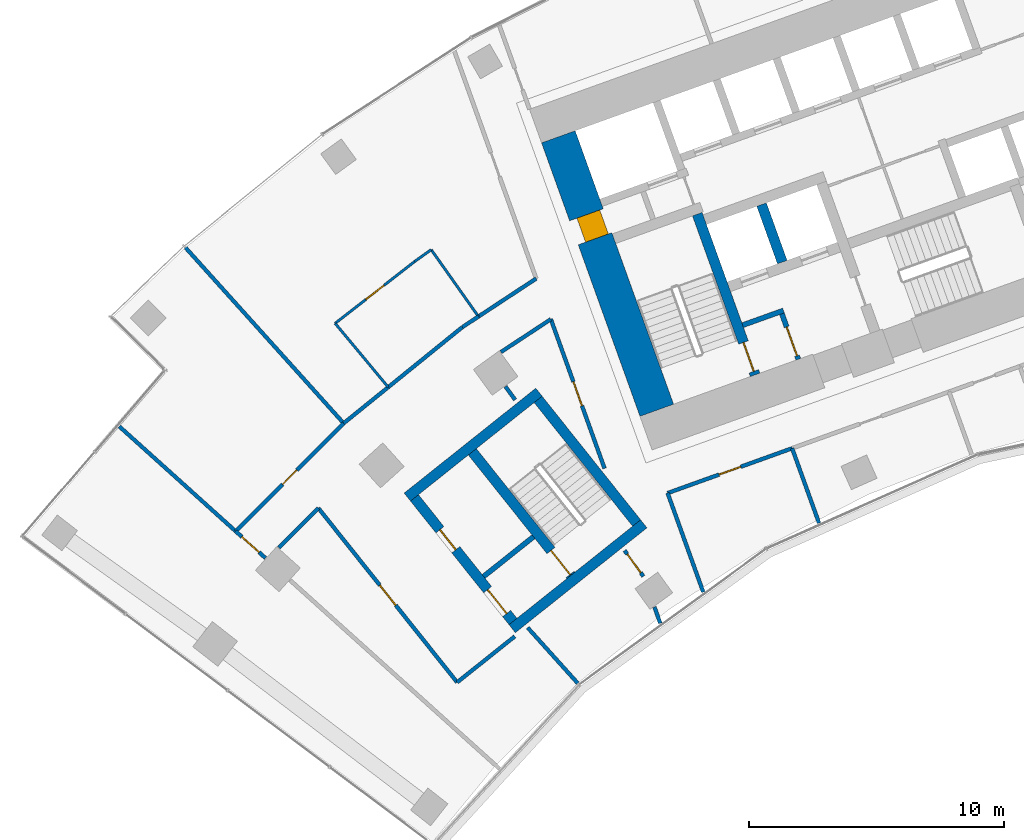
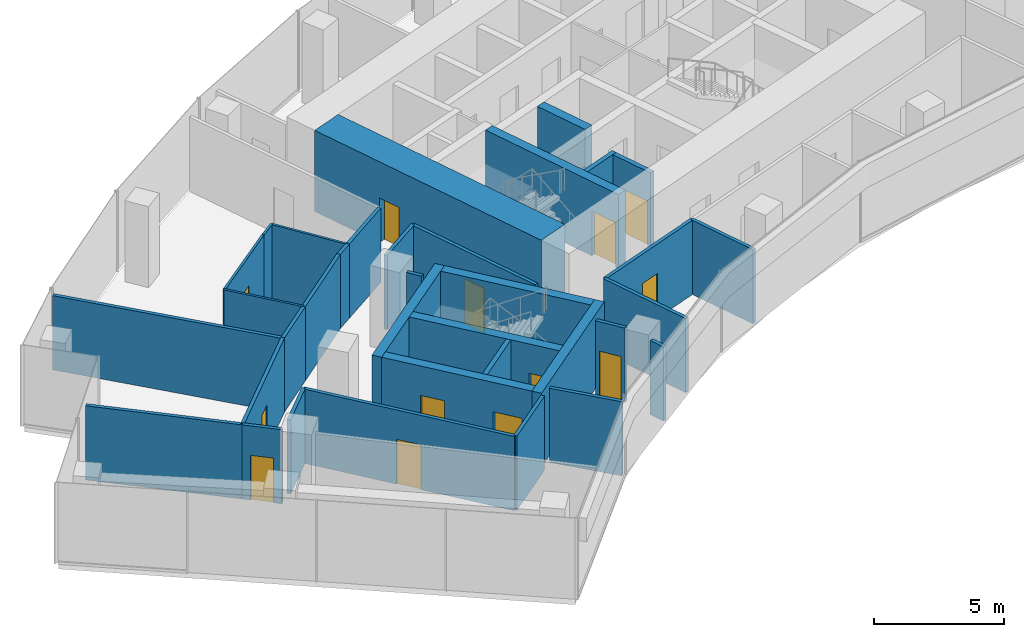
# One storey, part 13 of 21: 35 walls, 13 doors, 13 openings.
"""IFC4 building model written with IfcOpenShell, lengths in metres."""

from ifc_helpers import new_model, si_unit, direction, frame, frame_2d, origin, place, context, subcontext, project, spatial, rectangle, extrude, material, layer, layer_set, type_object, element, fill, save


model = new_model("IFC4")

# Units and contexts
model_context = context("Model", 3, precision=1e-05, world=origin(), true_north=direction((0.0, 1.0)))
body_context = subcontext(model_context, "Body", "Model", "MODEL_VIEW")
ifc_project = project(units=[si_unit("LENGTHUNIT", "METRE"), si_unit("AREAUNIT", "SQUARE_METRE"), si_unit("VOLUMEUNIT", "CUBIC_METRE"), si_unit("PLANEANGLEUNIT", "RADIAN"), si_unit("MASSUNIT", "GRAM", prefix="KILO")], contexts=[model_context])

# Site, building, storey
site_placement = place(None, origin())
site = spatial("IfcSite", under=ifc_project, at=site_placement, CompositionType="ELEMENT")
building_placement = place(site_placement, origin())
building = spatial("IfcBuilding", under=site, at=building_placement, Name="Stone Belt Terrace Tower", CompositionType="ELEMENT")
storey_placement = place(building_placement, frame((0.0, 0.0, 163.0)))
storey = spatial("IfcBuildingStorey", under=building, at=storey_placement, Name="L39", CompositionType="ELEMENT", Elevation=163.0)

# Wall, opening, door
ifc_material_1 = material(Name="Concrete B80", Category="concrete")
ifc_layer_1 = layer(ifc_material_1, 1.39990234375)
ifc_layer_set_1 = layer_set([ifc_layer_1], Name="Core wall 1400 B80")
wall_type_1 = type_object("IfcWallType", Name="Core wall 1400 B80", PredefinedType="SHEAR", material=ifc_layer_set_1)
wall_1_placement = place(storey_placement, frame((-26.00927734375, 43.03515625, 0.0), z_axis=(0.0, 0.0, 1.0), x_axis=(-0.338625431531, 0.940921259788, 0.0)))
wall_1 = element("IfcWall", 1, at=wall_1_placement, inside=storey, type_object=wall_type_1, Name="Core A wall end_a L39", PredefinedType="SHEAR", context=body_context, shape_type="SweptSolid", body=[
    extrude(rectangle(XDim=11.400146484375, YDim=1.39990234375, at=frame_2d((5.7001953125, 0.0))), origin(), (0.0, 0.0, 1.0), 3.800048828125),
])
opening_1_placement = place(wall_1_placement, frame((7.14990234375, 0.0, 0.0)))
opening_1 = element("IfcOpeningElement", 2, at=opening_1_placement, cuts=wall_1, Name="Opening L39-C04", PredefinedType="OPENING", context=body_context, shape_type="SweptSolid", body=[
    extrude(rectangle(XDim=1.0, YDim=2.10009765625, at=frame_2d((0.5, 1.050048828125))), frame((0.0, 0.7099609375, 0.0), z_axis=(0.0, -1.0, 0.0), x_axis=(1.0, 0.0, 0.0)), (0.0, 0.0, 1.0), 1.419921875),
])
ifc_material_2 = material(Name="Timber door leaf", Category="wood")
door_type_1 = type_object("IfcDoorType", Name="Core room door 1000", OperationType="SINGLE_SWING_LEFT", PredefinedType="DOOR", material=ifc_material_2)
door_1_placement = place(opening_1_placement, origin())
door_1 = element("IfcDoor", 3, at=door_1_placement, inside=storey, type_object=door_type_1, Name="Door to Telecommunications riser room core A", OperationType="SINGLE_SWING_RIGHT", OverallHeight=2.10009765625, OverallWidth=1.0, PredefinedType="DOOR", context=body_context, shape_type="SweptSolid", body=[
    extrude(rectangle(XDim=1.0, YDim=2.10009765625, at=frame_2d((0.5, 1.050048828125))), frame((0.0, 0.39501953125, 0.0), z_axis=(0.0, -1.0, 0.0), x_axis=(1.0, 0.0, 0.0)), (0.0, 0.0, 1.0), 0.949951171875),
])
fill(opening_1, door_1)

# Walls
ifc_layer_2 = layer(ifc_material_1, 0.39990234375)
ifc_layer_set_2 = layer_set([ifc_layer_2], Name="Fire-fighting lift shaft wall 400")
wall_type_2 = type_object("IfcWallType", Name="Fire-fighting lift shaft wall 400", PredefinedType="SHEAR", material=ifc_layer_set_2)
wall_2_placement = place(storey_placement, frame((-21.0859375, 48.845458984375, 0.0), z_axis=(0.0, 0.0, 1.0), x_axis=(-0.338629416206, 0.940919825745, 0.0)))
element("IfcWall", 4, at=wall_2_placement, inside=storey, type_object=wall_type_2, Name="Core A wall", PredefinedType="SHEAR", context=body_context, shape_type="SweptSolid", body=[
    extrude(rectangle(XDim=2.400146484375, YDim=0.39990234375, at=frame_2d((1.2001953125, 0.0))), origin(), (0.0, 0.0, 1.0), 3.47998046875),
])
ifc_material_3 = material(Name="Gypsum board partition")
ifc_layer_3 = layer(ifc_material_3, 0.10009765625)
ifc_layer_set_3 = layer_set([ifc_layer_3], Name="PARTITION 100")
wall_type_3 = type_object("IfcWallType", Name="PARTITION 100", PredefinedType="PARTITIONING", material=ifc_layer_set_3)
wall_3_placement = place(storey_placement, frame((-33.00390625, 46.7119140625, 0.0), z_axis=(0.0, 0.0, 1.0), x_axis=(-0.576987586469, 0.81675291555, 0.0)))
element("IfcWall", 5, at=wall_3_placement, inside=storey, type_object=wall_type_3, Name="L39/wall/i056", PredefinedType="PARTITIONING", context=body_context, shape_type="SweptSolid", body=[
    extrude(rectangle(XDim=3.211669921875, YDim=0.10009765625, at=frame_2d((1.60595703125, 0.0))), origin(), (0.0, 0.0, 1.0), 3.47998046875),
])
wall_4_placement = place(storey_placement, frame((-34.85693359375, 49.3349609375, 0.0), z_axis=(0.0, 0.0, 1.0), x_axis=(-0.813051119642, -0.582192302293, 0.0)))
element("IfcWall", 6, at=wall_4_placement, inside=storey, type_object=wall_type_3, Name="L39/wall/i057", PredefinedType="PARTITIONING", context=body_context, shape_type="SweptSolid", body=[
    extrude(rectangle(XDim=0.79833984375, YDim=0.10009765625, at=frame_2d((0.399169921875, 0.0))), origin(), (0.0, 0.0, 1.0), 3.47998046875),
])

# Wall, opening, door
wall_5_placement = place(storey_placement, frame((-35.506103515625, 48.8701171875, 0.0), z_axis=(0.0, 0.0, 1.0), x_axis=(-0.789445377815, -0.613820817052, 0.0)))
wall_5 = element("IfcWall", 7, at=wall_5_placement, inside=storey, type_object=wall_type_3, Name="L39/wall/i058", PredefinedType="PARTITIONING", context=body_context, shape_type="SweptSolid", body=[
    extrude(rectangle(XDim=3.95068359375, YDim=0.10009765625, at=frame_2d((1.975341796875, 0.0))), origin(), (0.0, 0.0, 1.0), 3.47998046875),
])
opening_2_placement = place(wall_5_placement, frame((1.525390625, 0.0, 0.0)))
opening_2 = element("IfcOpeningElement", 8, at=opening_2_placement, cuts=wall_5, Name="Opening D-C2-17", PredefinedType="OPENING", context=body_context, shape_type="SweptSolid", body=[
    extrude(rectangle(XDim=0.89990234375, YDim=2.10009765625, at=frame_2d((0.449951171875, 1.050048828125))), frame((0.0, 0.06005859375, 0.0), z_axis=(0.0, -1.0, 0.0), x_axis=(1.0, 0.0, 0.0)), (0.0, 0.0, 1.0), 0.1201171875),
])
door_type_2 = type_object("IfcDoorType", Name="OFFICE DOOR 900 X 2100", OperationType="NOTDEFINED", PredefinedType="DOOR", material=ifc_material_2)
door_2_placement = place(opening_2_placement, origin())
door_2 = element("IfcDoor", 9, at=door_2_placement, inside=storey, type_object=door_type_2, Name="L39/door/i17", OperationType="SINGLE_SWING_RIGHT", OverallHeight=2.10009765625, OverallWidth=0.89990234375, PredefinedType="DOOR", context=body_context, shape_type="SweptSolid", body=[
    extrude(rectangle(XDim=0.89990234375, YDim=2.10009765625, at=frame_2d((0.449951171875, 1.050048828125))), frame((0.0, 0.02490234375, 0.0), z_axis=(0.0, -1.0, 0.0), x_axis=(1.0, 0.0, 0.0)), (0.0, 0.0, 1.0), 0.050048828125),
])
fill(opening_2, door_2)

# Walls
wall_6_placement = place(storey_placement, frame((-38.625, 46.445068359375, 0.0), z_axis=(0.0, 0.0, 1.0), x_axis=(0.639468695187, -0.768817135524, 0.0)))
element("IfcWall", 10, at=wall_6_placement, inside=storey, type_object=wall_type_3, Name="L39/wall/i059", PredefinedType="PARTITIONING", context=body_context, shape_type="SweptSolid", body=[
    extrude(rectangle(XDim=3.255859375, YDim=0.10009765625, at=frame_2d((1.6279296875, 0.0))), origin(), (0.0, 0.0, 1.0), 3.47998046875),
])
ifc_layer_4 = layer(ifc_material_3, 0.14990234375)
ifc_layer_set_4 = layer_set([ifc_layer_4], Name="PARTITION 150 EI 60")
wall_type_4 = type_object("IfcWallType", Name="PARTITION 150 EI 60", PredefinedType="PARTITIONING", material=ifc_layer_set_4)
wall_7_placement = place(storey_placement, frame((-25.5859375, 39.79296875, 0.0), z_axis=(0.0, 0.0, 1.0), x_axis=(0.338545933013, -0.940949866486, 0.0)))
element("IfcWall", 11, at=wall_7_placement, inside=storey, type_object=wall_type_4, Name="L39/wall/i001", PredefinedType="PARTITIONING", context=body_context, shape_type="SweptSolid", body=[
    extrude(rectangle(XDim=4.135009765625, YDim=0.14990234375, at=frame_2d((2.0673828125, 0.0))), origin(), (0.0, 0.0, 1.0), 3.47998046875),
])

# Wall, opening, door
wall_8_placement = place(storey_placement, frame((-28.05810546875, 40.75390625, 0.0), z_axis=(0.0, 0.0, 1.0), x_axis=(-0.338523697563, 0.94095786632, 0.0)))
wall_8 = element("IfcWall", 12, at=wall_8_placement, inside=storey, type_object=wall_type_4, Name="L39/wall/i003", PredefinedType="PARTITIONING", context=body_context, shape_type="SweptSolid", body=[
    extrude(rectangle(XDim=6.226806640625, YDim=0.14990234375, at=frame_2d((3.11328125, 0.0))), origin(), (0.0, 0.0, 1.0), 3.47998046875),
])
opening_3_placement = place(wall_8_placement, frame((2.61328125, 0.0, 0.0)))
opening_3 = element("IfcOpeningElement", 13, at=opening_3_placement, cuts=wall_8, Name="Opening D-C2-13", PredefinedType="OPENING", context=body_context, shape_type="SweptSolid", body=[
    extrude(rectangle(XDim=1.0, YDim=2.10009765625, at=frame_2d((0.5, 1.050048828125))), frame((0.0, 0.0849609375, 0.0), z_axis=(0.0, -1.0, 0.0), x_axis=(1.0, 0.0, 0.0)), (0.0, 0.0, 1.0), 0.169921875),
])
ifc_material_4 = material(Name="Timber fire door leaf", Category="wood")
door_type_3 = type_object("IfcDoorType", Name="TENANCY ENTRANCE DOOR 1000 X 2100", OperationType="NOTDEFINED", PredefinedType="DOOR", material=ifc_material_4)
door_3_placement = place(opening_3_placement, origin())
door_3 = element("IfcDoor", 14, at=door_3_placement, inside=storey, type_object=door_type_3, Name="L39/door/i13", OperationType="SINGLE_SWING_RIGHT", OverallHeight=2.10009765625, OverallWidth=1.0, PredefinedType="DOOR", context=body_context, shape_type="SweptSolid", body=[
    extrude(rectangle(XDim=1.0, YDim=2.10009765625, at=frame_2d((0.5, 1.050048828125))), frame((0.0, 0.02490234375, 0.0), z_axis=(0.0, -1.0, 0.0), x_axis=(1.0, 0.0, 0.0)), (0.0, 0.0, 1.0), 0.050048828125),
])
fill(opening_3, door_3)

# Wall
wall_9_placement = place(storey_placement, frame((-25.870849609375, 34.67822265625, 0.0), z_axis=(0.0, 0.0, 1.0), x_axis=(-0.338744881741, 0.940878262632, 0.0)))
element("IfcWall", 15, at=wall_9_placement, inside=storey, type_object=wall_type_4, Name="L39/wall/i004", PredefinedType="PARTITIONING", context=body_context, shape_type="SweptSolid", body=[
    extrude(rectangle(XDim=0.680419921875, YDim=0.14990234375, at=frame_2d((0.34033203125, 0.0))), origin(), (0.0, 0.0, 1.0), 3.47998046875),
])

# Wall, opening, door
wall_10_placement = place(storey_placement, frame((-26.534912109375, 36.52294921875, 0.0), z_axis=(0.0, 0.0, 1.0), x_axis=(-0.58822969918, 0.80869389821, 0.0)))
wall_10 = element("IfcWall", 16, at=wall_10_placement, inside=storey, type_object=wall_type_4, Name="L39/wall/i005", PredefinedType="PARTITIONING", context=body_context, shape_type="SweptSolid", body=[
    extrude(rectangle(XDim=1.25146484375, YDim=0.14990234375, at=frame_2d((0.625732421875, 0.0))), origin(), (0.0, 0.0, 1.0), 3.47998046875),
])
opening_4_placement = place(wall_10_placement, frame((0.17578125, 0.0, 0.0)))
opening_4 = element("IfcOpeningElement", 17, at=opening_4_placement, cuts=wall_10, Name="Opening D-C2-14", PredefinedType="OPENING", context=body_context, shape_type="SweptSolid", body=[
    extrude(rectangle(XDim=0.89990234375, YDim=2.10009765625, at=frame_2d((0.449951171875, 1.050048828125))), frame((0.0, 0.0849609375, 0.0), z_axis=(0.0, -1.0, 0.0), x_axis=(1.0, 0.0, 0.0)), (0.0, 0.0, 1.0), 0.169921875),
])
door_4_placement = place(opening_4_placement, origin())
door_4 = element("IfcDoor", 18, at=door_4_placement, inside=storey, type_object=door_type_2, Name="L39/door/i14", OperationType="SINGLE_SWING_RIGHT", OverallHeight=2.10009765625, OverallWidth=0.89990234375, PredefinedType="DOOR", context=body_context, shape_type="SweptSolid", body=[
    extrude(rectangle(XDim=0.89990234375, YDim=2.10009765625, at=frame_2d((0.449951171875, 1.050048828125))), frame((0.0, 0.02490234375, 0.0), z_axis=(0.0, -1.0, 0.0), x_axis=(1.0, 0.0, 0.0)), (0.0, 0.0, 1.0), 0.050048828125),
])
fill(opening_4, door_4)

wall_11_placement = place(storey_placement, frame((-20.695068359375, 41.5458984375, 0.0), z_axis=(0.0, 0.0, 1.0), x_axis=(-0.940962265719, -0.338511468776, 0.0)))
wall_11 = element("IfcWall", 19, at=wall_11_placement, inside=storey, type_object=wall_type_4, Name="L39/wall/i014", PredefinedType="PARTITIONING", context=body_context, shape_type="SweptSolid", body=[
    extrude(rectangle(XDim=5.195556640625, YDim=0.14990234375, at=frame_2d((2.59765625, 0.0))), origin(), (0.0, 0.0, 1.0), 3.47998046875),
])
opening_5_placement = place(wall_11_placement, frame((2.14794921875, 0.0, 0.0)))
opening_5 = element("IfcOpeningElement", 20, at=opening_5_placement, cuts=wall_11, Name="Opening D-C2-01", PredefinedType="OPENING", context=body_context, shape_type="SweptSolid", body=[
    extrude(rectangle(XDim=0.89990234375, YDim=2.10009765625, at=frame_2d((0.449951171875, 1.050048828125))), frame((0.0, 0.0849609375, 0.0), z_axis=(0.0, -1.0, 0.0), x_axis=(1.0, 0.0, 0.0)), (0.0, 0.0, 1.0), 0.169921875),
])
door_5_placement = place(opening_5_placement, origin())
door_5 = element("IfcDoor", 21, at=door_5_placement, inside=storey, type_object=door_type_2, Name="L39/door/i01", OperationType="SINGLE_SWING_RIGHT", OverallHeight=2.10009765625, OverallWidth=0.89990234375, PredefinedType="DOOR", context=body_context, shape_type="SweptSolid", body=[
    extrude(rectangle(XDim=0.89990234375, YDim=2.10009765625, at=frame_2d((0.449951171875, 1.050048828125))), frame((0.0, 0.02490234375, 0.0), z_axis=(0.0, -1.0, 0.0), x_axis=(1.0, 0.0, 0.0)), (0.0, 0.0, 1.0), 0.050048828125),
])
fill(opening_5, door_5)

# Wall
wall_12_placement = place(storey_placement, frame((-20.700927734375, 41.5439453125, 0.0), z_axis=(0.0, 0.0, 1.0), x_axis=(0.338730556493, -0.940883420036, 0.0)))
element("IfcWall", 22, at=wall_12_placement, inside=storey, type_object=wall_type_4, Name="L39/wall/i018", PredefinedType="PARTITIONING", context=body_context, shape_type="SweptSolid", body=[
    extrude(rectangle(XDim=3.11865234375, YDim=0.14990234375, at=frame_2d((1.559326171875, 0.0))), origin(), (0.0, 0.0, 1.0), 3.47998046875),
])

# Wall, opening, door
wall_13_placement = place(storey_placement, frame((-41.35986328125, 37.240478515625, 0.0), z_axis=(0.0, 0.0, 1.0), x_axis=(-0.742885543222, 0.669418456327, 0.0)))
wall_13 = element("IfcWall", 23, at=wall_13_placement, inside=storey, type_object=wall_type_4, Name="L39/wall/i042", PredefinedType="PARTITIONING", context=body_context, shape_type="SweptSolid", body=[
    extrude(rectangle(XDim=1.5751953125, YDim=0.14990234375, at=frame_2d((0.78759765625, 0.0))), origin(), (0.0, 0.0, 1.0), 3.47998046875),
])
opening_6_placement = place(wall_13_placement, frame((0.337646484375, 0.0, 0.0)))
opening_6 = element("IfcOpeningElement", 24, at=opening_6_placement, cuts=wall_13, Name="Opening D-C2-12", PredefinedType="OPENING", context=body_context, shape_type="SweptSolid", body=[
    extrude(rectangle(XDim=0.89990234375, YDim=2.10009765625, at=frame_2d((0.449951171875, 1.050048828125))), frame((0.0, 0.0849609375, 0.0), z_axis=(0.0, -1.0, 0.0), x_axis=(1.0, 0.0, 0.0)), (0.0, 0.0, 1.0), 0.169921875),
])
door_type_4 = type_object("IfcDoorType", Name="TENANCY ENTRANCE DOOR 900 X 2100", OperationType="NOTDEFINED", PredefinedType="DOOR", material=ifc_material_4)
door_6_placement = place(opening_6_placement, origin())
door_6 = element("IfcDoor", 25, at=door_6_placement, inside=storey, type_object=door_type_4, Name="L39/door/i12", OperationType="SINGLE_SWING_RIGHT", OverallHeight=2.10009765625, OverallWidth=0.89990234375, PredefinedType="DOOR", context=body_context, shape_type="SweptSolid", body=[
    extrude(rectangle(XDim=0.89990234375, YDim=2.10009765625, at=frame_2d((0.449951171875, 1.050048828125))), frame((0.0, 0.02490234375, 0.0), z_axis=(0.0, -1.0, 0.0), x_axis=(1.0, 0.0, 0.0)), (0.0, 0.0, 1.0), 0.050048828125),
])
fill(opening_6, door_6)

# Walls
wall_14_placement = place(storey_placement, frame((-47.09228515625, 42.40283203125, 0.0), z_axis=(0.0, 0.0, 1.0), x_axis=(0.743096733758, -0.669184013765, 0.0)))
element("IfcWall", 26, at=wall_14_placement, inside=storey, type_object=wall_type_4, Name="L39/wall/i044", PredefinedType="PARTITIONING", context=body_context, shape_type="SweptSolid", body=[
    extrude(rectangle(XDim=6.150390625, YDim=0.14990234375, at=frame_2d((3.0751953125, 0.0))), origin(), (0.0, 0.0, 1.0), 3.47998046875),
])
wall_15_placement = place(storey_placement, frame((-30.1650390625, 46.60595703125, 0.0), z_axis=(0.0, 0.0, 1.0), x_axis=(-0.835424653074, -0.549604993641, 0.0)))
element("IfcWall", 27, at=wall_15_placement, inside=storey, type_object=wall_type_4, Name="L39/wall/i045", PredefinedType="PARTITIONING", context=body_context, shape_type="SweptSolid", body=[
    extrude(rectangle(XDim=2.337890625, YDim=0.14990234375, at=frame_2d((1.1689453125, 0.0))), origin(), (0.0, 0.0, 1.0), 3.47998046875),
])
wall_16_placement = place(storey_placement, frame((-31.943115234375, 43.966064453125, 0.0), z_axis=(0.0, 0.0, 1.0), x_axis=(0.588149120926, -0.808752503275, 0.0)))
element("IfcWall", 28, at=wall_16_placement, inside=storey, type_object=wall_type_4, Name="L39/wall/i046", PredefinedType="PARTITIONING", context=body_context, shape_type="SweptSolid", body=[
    extrude(rectangle(XDim=0.64306640625, YDim=0.14990234375, at=frame_2d((0.321533203125, 0.0))), origin(), (0.0, 0.0, 1.0), 3.47998046875),
])
wall_17_placement = place(storey_placement, frame((-39.281982421875, 39.205078125, 0.0), z_axis=(0.0, 0.0, 1.0), x_axis=(-0.707106781187, -0.707106781187, 0.0)))
element("IfcWall", 29, at=wall_17_placement, inside=storey, type_object=wall_type_4, Name="L39/wall/i047", PredefinedType="PARTITIONING", context=body_context, shape_type="SweptSolid", body=[
    extrude(rectangle(XDim=2.1982421875, YDim=0.14990234375, at=frame_2d((1.09912109375, 0.0))), origin(), (0.0, 0.0, 1.0), 3.47998046875),
])
wall_18_placement = place(storey_placement, frame((-38.2900390625, 42.527099609375, 0.0), z_axis=(0.0, 0.0, 1.0), x_axis=(0.777305407687, 0.629123440336, 0.0)))
element("IfcWall", 30, at=wall_18_placement, inside=storey, type_object=wall_type_4, Name="L39/wall/i048", PredefinedType="PARTITIONING", context=body_context, shape_type="SweptSolid", body=[
    extrude(rectangle(XDim=2.25390625, YDim=0.14990234375, at=frame_2d((1.126953125, 0.0))), origin(), (0.0, 0.0, 1.0), 3.47998046875),
])
wall_19_placement = place(storey_placement, frame((-33.009033203125, 46.708984375, 0.0), z_axis=(0.0, 0.0, 1.0), x_axis=(0.835338913682, 0.549735299292, 0.0)))
element("IfcWall", 31, at=wall_19_placement, inside=storey, type_object=wall_type_4, Name="L39/wall/i049", PredefinedType="PARTITIONING", context=body_context, shape_type="SweptSolid", body=[
    extrude(rectangle(XDim=2.717529296875, YDim=0.14990234375, at=frame_2d((1.35888671875, 0.0))), origin(), (0.0, 0.0, 1.0), 3.47998046875),
])
wall_20_placement = place(storey_placement, frame((-36.547119140625, 43.93798828125, 0.0), z_axis=(0.0, 0.0, 1.0), x_axis=(0.777077902993, 0.629404426963, 0.0)))
element("IfcWall", 32, at=wall_20_placement, inside=storey, type_object=wall_type_4, Name="L39/wall/i050", PredefinedType="PARTITIONING", context=body_context, shape_type="SweptSolid", body=[
    extrude(rectangle(XDim=3.746337890625, YDim=0.14990234375, at=frame_2d((1.873046875, 0.0))), origin(), (0.0, 0.0, 1.0), 3.47998046875),
])
wall_21_placement = place(storey_placement, frame((-33.635986328125, 46.2958984375, 0.0), z_axis=(0.0, 0.0, 1.0), x_axis=(0.835335830137, 0.549739984801, 0.0)))
element("IfcWall", 33, at=wall_21_placement, inside=storey, type_object=wall_type_4, Name="L39/wall/i051", PredefinedType="PARTITIONING", context=body_context, shape_type="SweptSolid", body=[
    extrude(rectangle(XDim=0.762451171875, YDim=0.14990234375, at=frame_2d((0.38134765625, 0.0))), origin(), (0.0, 0.0, 1.0), 3.47998046875),
])

# Wall, opening, door
wall_22_placement = place(storey_placement, frame((-42.52587890625, 38.291015625, 0.0), z_axis=(0.0, 0.0, 1.0), x_axis=(0.707106781187, 0.707106781187, 0.0)))
wall_22 = element("IfcWall", 34, at=wall_22_placement, inside=storey, type_object=wall_type_4, Name="L39/wall/i052", PredefinedType="PARTITIONING", context=body_context, shape_type="SweptSolid", body=[
    extrude(rectangle(XDim=5.989013671875, YDim=0.14990234375, at=frame_2d((2.99462890625, 0.0))), origin(), (0.0, 0.0, 1.0), 3.47998046875),
])
opening_7_placement = place(wall_22_placement, frame((2.594482421875, 0.0, 0.0)))
opening_7 = element("IfcOpeningElement", 35, at=opening_7_placement, cuts=wall_22, Name="Opening D-C2-18", PredefinedType="OPENING", context=body_context, shape_type="SweptSolid", body=[
    extrude(rectangle(XDim=0.800048828125, YDim=2.10009765625, at=frame_2d((0.39990234375, 1.050048828125))), frame((0.0, 0.0849609375, 0.0), z_axis=(0.0, -1.0, 0.0), x_axis=(1.0, 0.0, 0.0)), (0.0, 0.0, 1.0), 0.169921875),
])
door_type_5 = type_object("IfcDoorType", Name="STORE DOOR 800 X 2100", OperationType="NOTDEFINED", PredefinedType="DOOR", material=ifc_material_2)
door_7_placement = place(opening_7_placement, origin())
door_7 = element("IfcDoor", 36, at=door_7_placement, inside=storey, type_object=door_type_5, Name="L39/door/i18", OperationType="SINGLE_SWING_RIGHT", OverallHeight=2.10009765625, OverallWidth=0.800048828125, PredefinedType="DOOR", context=body_context, shape_type="SweptSolid", body=[
    extrude(rectangle(XDim=0.800048828125, YDim=2.10009765625, at=frame_2d((0.39990234375, 1.050048828125))), frame((0.0, 0.02490234375, 0.0), z_axis=(0.0, -1.0, 0.0), x_axis=(1.0, 0.0, 0.0)), (0.0, 0.0, 1.0), 0.050048828125),
])
fill(opening_7, door_7)

# Wall
wall_23_placement = place(storey_placement, frame((-31.5810546875, 34.1650390625, 0.0), z_axis=(0.0, 0.0, 1.0), x_axis=(-0.782079504581, -0.623178665003, 0.0)))
element("IfcWall", 37, at=wall_23_placement, inside=storey, type_object=wall_type_4, Name="L39/wall/i053", PredefinedType="PARTITIONING", context=body_context, shape_type="SweptSolid", body=[
    extrude(rectangle(XDim=2.888427734375, YDim=0.14990234375, at=frame_2d((1.4443359375, 0.0))), origin(), (0.0, 0.0, 1.0), 3.47998046875),
])

# Wall, opening, door
wall_24_placement = place(storey_placement, frame((-33.840087890625, 32.364990234375, 0.0), z_axis=(0.0, 0.0, 1.0), x_axis=(-0.6230926474, 0.782148037622, 0.0)))
wall_24 = element("IfcWall", 38, at=wall_24_placement, inside=storey, type_object=wall_type_4, Name="L39/wall/i054", PredefinedType="PARTITIONING", context=body_context, shape_type="SweptSolid", body=[
    extrude(rectangle(XDim=8.739990234375, YDim=0.14990234375, at=frame_2d((4.3701171875, 0.0))), origin(), (0.0, 0.0, 1.0), 3.47998046875),
])
opening_8_placement = place(wall_24_placement, frame((3.8701171875, 0.0, 0.0)))
opening_8 = element("IfcOpeningElement", 39, at=opening_8_placement, cuts=wall_24, Name="Opening D-C2-15", PredefinedType="OPENING", context=body_context, shape_type="SweptSolid", body=[
    extrude(rectangle(XDim=1.0, YDim=2.10009765625, at=frame_2d((0.5, 1.050048828125))), frame((0.0, 0.0849609375, 0.0), z_axis=(0.0, -1.0, 0.0), x_axis=(1.0, 0.0, 0.0)), (0.0, 0.0, 1.0), 0.169921875),
])
door_8_placement = place(opening_8_placement, origin())
door_8 = element("IfcDoor", 40, at=door_8_placement, inside=storey, type_object=door_type_3, Name="L39/door/i15", OperationType="SINGLE_SWING_RIGHT", OverallHeight=2.10009765625, OverallWidth=1.0, PredefinedType="DOOR", context=body_context, shape_type="SweptSolid", body=[
    extrude(rectangle(XDim=1.0, YDim=2.10009765625, at=frame_2d((0.5, 1.050048828125))), frame((0.0, 0.02490234375, 0.0), z_axis=(0.0, -1.0, 0.0), x_axis=(1.0, 0.0, 0.0)), (0.0, 0.0, 1.0), 0.050048828125),
])
fill(opening_8, door_8)

# Walls
wall_25_placement = place(storey_placement, frame((-29.107177734375, 32.32666015625, 0.0), z_axis=(0.0, 0.0, 1.0), x_axis=(-0.669245075227, 0.74304174128, 0.0)))
element("IfcWall", 41, at=wall_25_placement, inside=storey, type_object=wall_type_4, Name="L39/wall/i055", PredefinedType="PARTITIONING", context=body_context, shape_type="SweptSolid", body=[
    extrude(rectangle(XDim=2.9345703125, YDim=0.14990234375, at=frame_2d((1.46728515625, 0.0))), origin(), (0.0, 0.0, 1.0), 3.47998046875),
])
wall_26_placement = place(storey_placement, frame((-38.291015625, 42.52587890625, 0.0), z_axis=(0.0, 0.0, 1.0), x_axis=(-0.669060704206, 0.743207759706, 0.0)))
element("IfcWall", 42, at=wall_26_placement, inside=storey, type_object=wall_type_4, Name="L39/wall/i060", PredefinedType="PARTITIONING", context=body_context, shape_type="SweptSolid", body=[
    extrude(rectangle(XDim=9.275390625, YDim=0.14990234375, at=frame_2d((4.6376953125, 0.0))), origin(), (0.0, 0.0, 1.0), 3.47998046875),
])
ifc_material_5 = material(Name="Concrete masonry block", Category="masonry")
ifc_layer_5 = layer(ifc_material_5, 0.199951171875)
ifc_layer_set_5 = layer_set([ifc_layer_5], Name="Rated lobby wall 200")
wall_type_5 = type_object("IfcWallType", Name="Rated lobby wall 200", PredefinedType="PARTITIONING", material=ifc_layer_set_5)
wall_27_placement = place(storey_placement, frame((-22.640625, 46.373046875, 0.0), z_axis=(0.0, 0.0, 1.0), x_axis=(0.940966110313, 0.338500781747, 0.0)))
element("IfcWall", 43, at=wall_27_placement, inside=storey, type_object=wall_type_5, Name="Core A wall", PredefinedType="PARTITIONING", context=body_context, shape_type="SweptSolid", body=[
    extrude(rectangle(XDim=1.699951171875, YDim=0.199951171875, at=frame_2d((0.85009765625, 0.0))), origin(), (0.0, 0.0, 1.0), 3.47998046875),
])

# Wall, opening, door
wall_28_placement = place(storey_placement, frame((-20.4580078125, 45.032958984375, 0.0), z_axis=(0.0, 0.0, 1.0), x_axis=(-0.338573865316, 0.940939816208, 0.0)))
wall_28 = element("IfcWall", 44, at=wall_28_placement, inside=storey, type_object=wall_type_5, Name="Core A wall", PredefinedType="PARTITIONING", context=body_context, shape_type="SweptSolid", body=[
    extrude(rectangle(XDim=1.900146484375, YDim=0.199951171875, at=frame_2d((0.9501953125, 0.0))), origin(), (0.0, 0.0, 1.0), 3.47998046875),
])
opening_9_placement = place(wall_28_placement, frame((0.14990234375, 0.0, 0.0)))
opening_9 = element("IfcOpeningElement", 45, at=opening_9_placement, cuts=wall_28, Name="Opening L39-C09", PredefinedType="OPENING", context=body_context, shape_type="SweptSolid", body=[
    extrude(rectangle(XDim=1.199951171875, YDim=2.10009765625, at=frame_2d((0.60009765625, 1.050048828125))), frame((0.0, 0.10986328125, 0.0), z_axis=(0.0, -1.0, 0.0), x_axis=(1.0, 0.0, 0.0)), (0.0, 0.0, 1.0), 0.219970703125),
])
ifc_material_6 = material(Name="Steel door leaf", Category="steel")
door_type_6 = type_object("IfcDoorType", Name="Stair door 1200", OperationType="SINGLE_SWING_LEFT", PredefinedType="DOOR", material=ifc_material_6)
door_9_placement = place(opening_9_placement, origin())
door_9 = element("IfcDoor", 46, at=door_9_placement, inside=storey, type_object=door_type_6, Name="Stair airlock door core A", OperationType="SINGLE_SWING_LEFT", OverallHeight=2.10009765625, OverallWidth=1.199951171875, PredefinedType="DOOR", context=body_context, shape_type="SweptSolid", body=[
    extrude(rectangle(XDim=1.199951171875, YDim=2.10009765625, at=frame_2d((0.60009765625, 1.050048828125))), frame((0.0, 0.02490234375, 0.0), z_axis=(0.0, -1.0, 0.0), x_axis=(1.0, 0.0, 0.0)), (0.0, 0.0, 1.0), 0.050048828125),
])
fill(opening_9, door_9)

# Wall
wall_29_placement = place(storey_placement, frame((-30.845703125, 38.074951171875, 0.0), z_axis=(0.0, 0.0, 1.0), x_axis=(-0.782115323833, -0.623133709749, 0.0)))
element("IfcWall", 47, at=wall_29_placement, inside=storey, type_object=wall_type_5, Name="Exit stair ST3A wall", PredefinedType="PARTITIONING", context=body_context, shape_type="SweptSolid", body=[
    extrude(rectangle(XDim=2.5, YDim=0.199951171875, at=frame_2d((1.25, 0.0))), origin(), (0.0, 0.0, 1.0), 3.47998046875),
])

# Wall, opening, door
ifc_layer_6 = layer(ifc_material_1, 0.39990234375)
ifc_layer_set_6 = layer_set([ifc_layer_6], Name="Stair enclosure wall 400")
wall_type_6 = type_object("IfcWallType", Name="Stair enclosure wall 400", PredefinedType="SHEAR", material=ifc_layer_set_6)
wall_30_placement = place(storey_placement, frame((-22.151611328125, 44.42333984375, 0.0), z_axis=(0.0, 0.0, 1.0), x_axis=(-0.338625272931, 0.940921316866, 0.0)))
wall_30 = element("IfcWall", 48, at=wall_30_placement, inside=storey, type_object=wall_type_6, Name="Core A wall", PredefinedType="SHEAR", context=body_context, shape_type="SweptSolid", body=[
    extrude(rectangle(XDim=6.699951171875, YDim=0.39990234375, at=frame_2d((3.35009765625, 0.0))), origin(), (0.0, 0.0, 1.0), 3.47998046875),
])
opening_10_placement = place(wall_30_placement, frame((0.14990234375, 0.0, 0.0)))
opening_10 = element("IfcOpeningElement", 49, at=opening_10_placement, cuts=wall_30, Name="Opening L39-C08", PredefinedType="OPENING", context=body_context, shape_type="SweptSolid", body=[
    extrude(rectangle(XDim=1.199951171875, YDim=2.10009765625, at=frame_2d((0.60009765625, 1.050048828125))), frame((0.0, 0.2099609375, 0.0), z_axis=(0.0, -1.0, 0.0), x_axis=(1.0, 0.0, 0.0)), (0.0, 0.0, 1.0), 0.419921875),
])
door_10_placement = place(opening_10_placement, origin())
door_10 = element("IfcDoor", 50, at=door_10_placement, inside=storey, type_object=door_type_6, Name="Stair 1 door core A", OperationType="SINGLE_SWING_LEFT", OverallHeight=2.10009765625, OverallWidth=1.199951171875, PredefinedType="DOOR", context=body_context, shape_type="SweptSolid", body=[
    extrude(rectangle(XDim=1.199951171875, YDim=2.10009765625, at=frame_2d((0.60009765625, 1.050048828125))), frame((0.0, 0.02490234375, 0.0), z_axis=(0.0, -1.0, 0.0), x_axis=(1.0, 0.0, 0.0)), (0.0, 0.0, 1.0), 0.050048828125),
])
fill(opening_10, door_10)

# Walls
for number, where, z_axis, x_axis, name in (
    (51, (-26.518798828125, 38.58154296875, 0.0), (0.0, 0.0, 1.0), (-0.782133914161, -0.623110375711, 0.0), "Exit stair ST3A wall"),
    (52, (-30.63134765625, 43.74365234375, 0.0), (0.0, 0.0, 1.0), (-0.782133914161, -0.623110375711, 0.0), "Exit stair ST3A wall"),
):
    element("IfcWall", number, at=place(storey_placement, frame(where, z_axis=z_axis, x_axis=x_axis)), inside=storey, type_object=wall_type_6, Name=name, PredefinedType="SHEAR", context=body_context, shape_type="SweptSolid", body=[
        extrude(rectangle(XDim=6.60009765625, YDim=0.39990234375, at=frame_2d((3.300048828125, 0.0))), origin(), (0.0, 0.0, 1.0), 3.47998046875),
    ])
wall_31_placement = place(storey_placement, frame((-26.7998046875, 38.61328125, 0.0), z_axis=(0.0, 0.0, 1.0), x_axis=(-0.623118653668, 0.782127319208, 0.0)))
element("IfcWall", 53, at=wall_31_placement, inside=storey, type_object=wall_type_6, Name="Exit stair ST3A wall", PredefinedType="SHEAR", context=body_context, shape_type="SweptSolid", body=[
    extrude(rectangle(XDim=6.199951171875, YDim=0.39990234375, at=frame_2d((3.10009765625, 0.0))), origin(), (0.0, 0.0, 1.0), 3.47998046875),
])

# Wall, openings, doors
wall_32_placement = place(storey_placement, frame((-31.64892578125, 34.75, 0.0), z_axis=(0.0, 0.0, 1.0), x_axis=(-0.623118653668, 0.782127319208, 0.0)))
wall_32 = element("IfcWall", 54, at=wall_32_placement, inside=storey, type_object=wall_type_6, Name="Exit stair ST3A wall", PredefinedType="SHEAR", context=body_context, shape_type="SweptSolid", body=[
    extrude(rectangle(XDim=6.199951171875, YDim=0.39990234375, at=frame_2d((3.10009765625, 0.0))), origin(), (0.0, 0.0, 1.0), 3.47998046875),
])
opening_11_placement = place(wall_32_placement, frame((0.39990234375, 0.0, 0.0)))
opening_11 = element("IfcOpeningElement", 55, at=opening_11_placement, cuts=wall_32, Name="Opening L39-C28", PredefinedType="OPENING", context=body_context, shape_type="SweptSolid", body=[
    extrude(rectangle(XDim=1.199951171875, YDim=2.10009765625, at=frame_2d((0.60009765625, 1.050048828125))), frame((0.0, 0.2099609375, 0.0), z_axis=(0.0, -1.0, 0.0), x_axis=(1.0, 0.0, 0.0)), (0.0, 0.0, 1.0), 0.419921875),
])
opening_12_placement = place(wall_32_placement, frame((3.60009765625, 0.0, 0.0)))
opening_12 = element("IfcOpeningElement", 56, at=opening_12_placement, cuts=wall_32, Name="Opening L39-C29", PredefinedType="OPENING", context=body_context, shape_type="SweptSolid", body=[
    extrude(rectangle(XDim=1.0, YDim=2.10009765625, at=frame_2d((0.5, 1.050048828125))), frame((0.0, 0.2099609375, 0.0), z_axis=(0.0, -1.0, 0.0), x_axis=(1.0, 0.0, 0.0)), (0.0, 0.0, 1.0), 0.419921875),
])
door_11_placement = place(opening_12_placement, origin())
door_11 = element("IfcDoor", 57, at=door_11_placement, inside=storey, type_object=door_type_1, Name="Door to stair pressurisation plant room ST3A", OperationType="SINGLE_SWING_RIGHT", OverallHeight=2.10009765625, OverallWidth=1.0, PredefinedType="DOOR", context=body_context, shape_type="SweptSolid", body=[
    extrude(rectangle(XDim=1.0, YDim=2.10009765625, at=frame_2d((0.5, 1.050048828125))), frame((0.0, 0.02490234375, 0.0), z_axis=(0.0, -1.0, 0.0), x_axis=(1.0, 0.0, 0.0)), (0.0, 0.0, 1.0), 0.050048828125),
])
fill(opening_12, door_11)
door_type_7 = type_object("IfcDoorType", Name="Stair airlock door 1200", OperationType="SINGLE_SWING_LEFT", PredefinedType="DOOR", material=ifc_material_6)
door_12_placement = place(opening_11_placement, origin())
door_12 = element("IfcDoor", 58, at=door_12_placement, inside=storey, type_object=door_type_7, Name="Stair airlock door ST3A", OperationType="SINGLE_SWING_RIGHT", OverallHeight=2.10009765625, OverallWidth=1.199951171875, PredefinedType="DOOR", context=body_context, shape_type="SweptSolid", body=[
    extrude(rectangle(XDim=1.199951171875, YDim=2.10009765625, at=frame_2d((0.60009765625, 1.050048828125))), frame((0.0, 0.02490234375, 0.0), z_axis=(0.0, -1.0, 0.0), x_axis=(1.0, 0.0, 0.0)), (0.0, 0.0, 1.0), 0.050048828125),
])
fill(opening_11, door_12)

# Wall, opening, door
wall_33_placement = place(storey_placement, frame((-29.380859375, 36.556884765625, 0.0), z_axis=(0.0, 0.0, 1.0), x_axis=(-0.623099462847, 0.782142608097, 0.0)))
wall_33 = element("IfcWall", 59, at=wall_33_placement, inside=storey, type_object=wall_type_6, Name="Exit stair ST3A wall", PredefinedType="SHEAR", context=body_context, shape_type="SweptSolid", body=[
    extrude(rectangle(XDim=6.2001953125, YDim=0.39990234375, at=frame_2d((3.10009765625, 0.0))), origin(), (0.0, 0.0, 1.0), 3.47998046875),
])
opening_13_placement = place(wall_33_placement, frame((0.050048828125, 0.0, 0.0)))
opening_13 = element("IfcOpeningElement", 60, at=opening_13_placement, cuts=wall_33, Name="Opening L39-C27", PredefinedType="OPENING", context=body_context, shape_type="SweptSolid", body=[
    extrude(rectangle(XDim=1.199951171875, YDim=2.10009765625, at=frame_2d((0.60009765625, 1.050048828125))), frame((0.0, 0.2099609375, 0.0), z_axis=(0.0, -1.0, 0.0), x_axis=(1.0, 0.0, 0.0)), (0.0, 0.0, 1.0), 0.419921875),
])
door_13_placement = place(opening_13_placement, origin())
door_13 = element("IfcDoor", 61, at=door_13_placement, inside=storey, type_object=door_type_6, Name="Stair door ST3A", OperationType="SINGLE_SWING_LEFT", OverallHeight=2.10009765625, OverallWidth=1.199951171875, PredefinedType="DOOR", context=body_context, shape_type="SweptSolid", body=[
    extrude(rectangle(XDim=1.199951171875, YDim=2.10009765625, at=frame_2d((0.60009765625, 1.050048828125))), frame((0.0, 0.02490234375, 0.0), z_axis=(0.0, -1.0, 0.0), x_axis=(1.0, 0.0, 0.0)), (0.0, 0.0, 1.0), 0.050048828125),
])
fill(opening_13, door_13)

save(model, "model.ifc")
